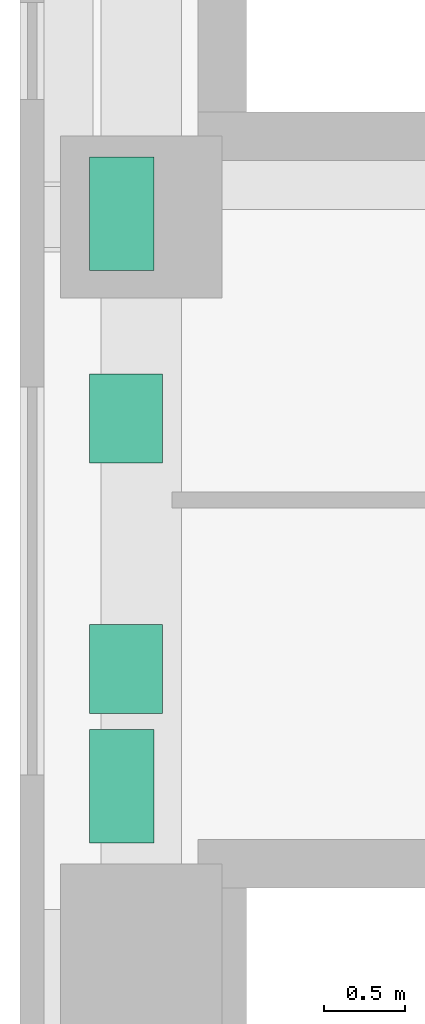
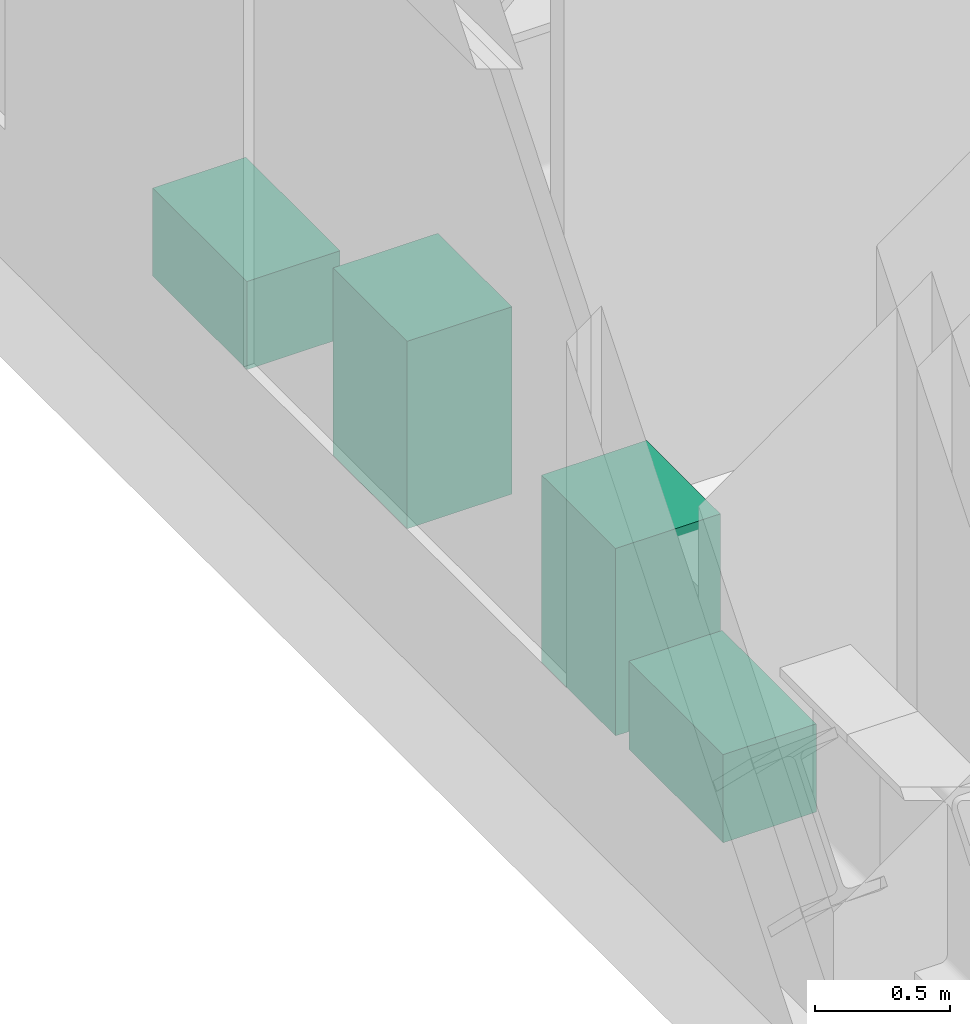
# One storey, part 14 of 14: 4 sanitary terminals.
"""IFC4 building model written with IfcOpenShell, lengths in metres."""

from ifc_helpers import new_model, si_unit, direction, frame, origin, origin_2d, place, context, subcontext, project, spatial, rectangle, extrude, material, type_object, element, save


model = new_model("IFC4")

# Units and contexts
model_context = context("Model", 3, precision=1e-05, world=origin(), true_north=direction((0.0, 1.0)))
body_context = subcontext(model_context, "Body", "Model", "MODEL_VIEW")
ifc_project = project(units=[si_unit("LENGTHUNIT", "METRE"), si_unit("AREAUNIT", "SQUARE_METRE"), si_unit("VOLUMEUNIT", "CUBIC_METRE"), si_unit("PLANEANGLEUNIT", "RADIAN"), si_unit("MASSUNIT", "GRAM", prefix="KILO")], contexts=[model_context])

# Site, building, storey
site_placement = place(None, origin())
site = spatial("IfcSite", under=ifc_project, at=site_placement, CompositionType="ELEMENT")
building_placement = place(site_placement, origin())
building = spatial("IfcBuilding", under=site, at=building_placement, Name="Firuza Court", CompositionType="ELEMENT")
storey_placement = place(building_placement, frame((0.0, 0.0, 173.60009765625)))
storey = spatial("IfcBuildingStorey", under=building, at=storey_placement, Name="L44", CompositionType="ELEMENT", Elevation=173.60009765625)

# Sanitary terminals
ifc_material_1 = material(Name="Vitreous china", Category="ceramic")
sanitary_terminal_type_1 = type_object("IfcSanitaryTerminalType", Name="Fixture WC pan", PredefinedType="TOILETPAN", material=ifc_material_1)
for number, where, z_axis, x_axis, name in (
    (1, (-0.1201171875, 14.47998046875, 0.0), (0.0, 0.0, 1.0), (1.0, 0.0, 0.0), "WC pan"),
    (2, (-0.1201171875, 18.02001953125, 0.0), (0.0, 0.0, 1.0), (1.0, 0.0, 0.0), "WC pan"),
):
    element("IfcSanitaryTerminal", number, at=place(storey_placement, frame(where, z_axis=z_axis, x_axis=x_axis)), inside=storey, type_object=sanitary_terminal_type_1, Name=name, PredefinedType="TOILETPAN", context=body_context, shape_type="SweptSolid", body=[
        extrude(rectangle(XDim=0.39990234375, YDim=0.699951171875, at=origin_2d()), origin(), (0.0, 0.0, 1.0), 0.39990234375),
    ])
ifc_material_2 = material(Name="Vitreous china", Category="ceramic")
sanitary_terminal_type_2 = type_object("IfcSanitaryTerminalType", Name="Fixture Washbasin", PredefinedType="WASHHANDBASIN", material=ifc_material_2)
for number, where, z_axis, x_axis, name in (
    (3, (-0.094970703125, 15.205078125, -0.000244140625), (0.0, 0.0, 1.0), (1.0, 0.0, 0.0), "Washbasin"),
    (4, (-0.094970703125, 16.7548828125, -0.000244140625), (0.0, 0.0, 1.0), (1.0, 0.0, 0.0), "Washbasin"),
):
    element("IfcSanitaryTerminal", number, at=place(storey_placement, frame(where, z_axis=z_axis, x_axis=x_axis)), inside=storey, type_object=sanitary_terminal_type_2, Name=name, PredefinedType="WASHHANDBASIN", context=body_context, shape_type="SweptSolid", body=[
        extrude(rectangle(XDim=0.449951171875, YDim=0.550048828125, at=origin_2d()), origin(), (0.0, 0.0, 1.0), 0.85009765625),
    ])

save(model, "model.ifc")
